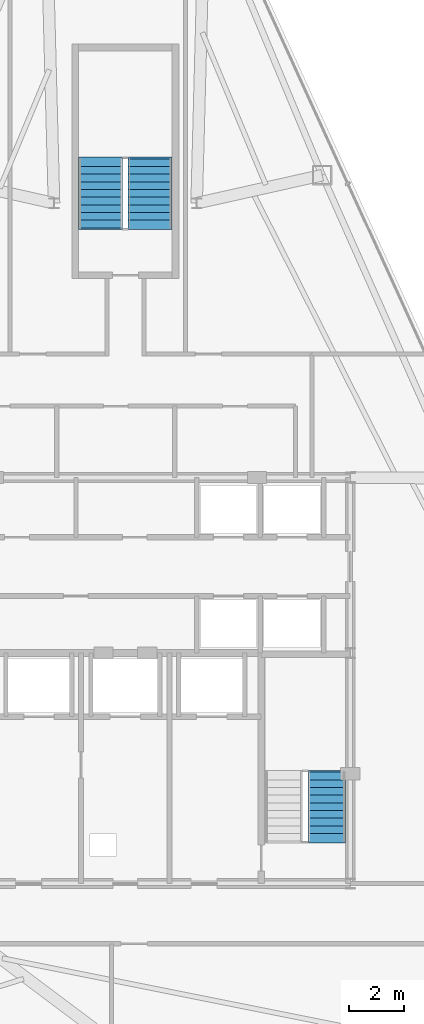
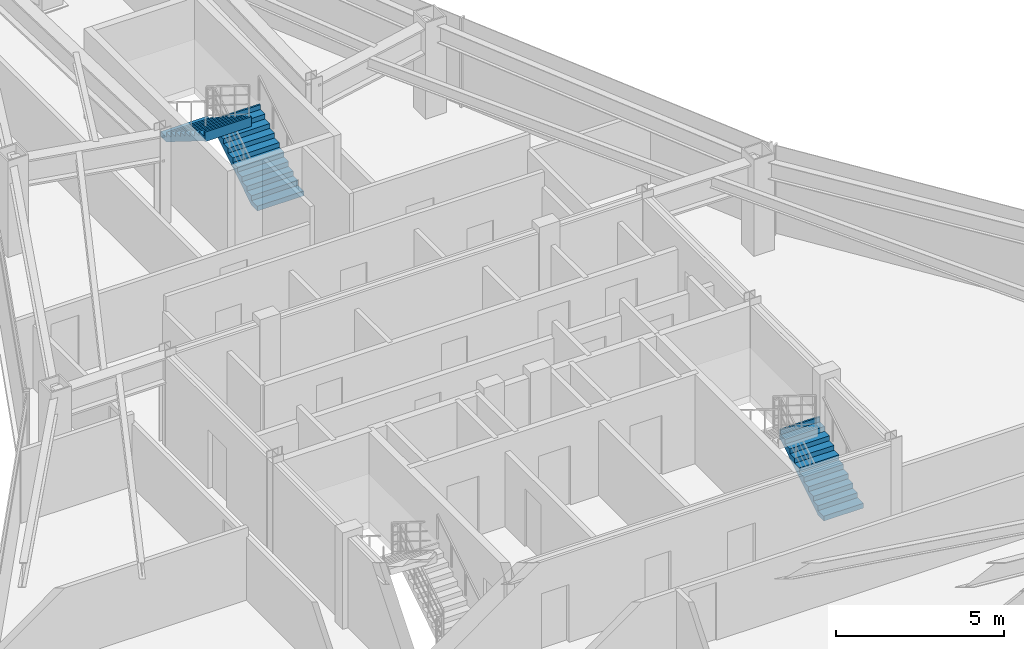
# One storey, part 11 of 12: 3 stair flights, 2 elements without a shape of their own.
"""IFC4 building model written with IfcOpenShell, lengths in metres."""

import ifcopenshell
import ifcopenshell.guid

model = None  # the IFC model being written
_history = None  # IfcOwnerHistory: only IFC2X3 demands one
_inside = {}  # id of a spatial element -> (the spatial element, [elements in it])
_under = {}  # id of a project, library or spatial element -> (it, [spatial elements below it])
_declared = {}  # id of a project -> (the project, [libraries it declares])
_typed = {}  # id of a type object -> (the type object, [elements of that type])
_made_of = {}  # id of a material, layer set ... -> (it, [elements and type objects made of it])


def new_model(schema):
    """Start an empty IFC model of exactly this schema.

    Asked for "IFC4X3", IfcOpenShell would pick the latest addendum, in which some entities
    have other attributes; the version numbers below select the first issue.
    IFC2X3 requires an IfcOwnerHistory on every rooted entity: one is made here for all.
    """
    global model, _history
    if schema == "IFC4X3":
        model = ifcopenshell.file(schema_version=(4, 3, 0, 0))
    else:
        model = ifcopenshell.file(schema=schema)
    _inside.clear()
    _under.clear()
    _declared.clear()
    _typed.clear()
    _made_of.clear()
    _history = None
    if model.schema == "IFC2X3":
        org = make("IfcOrganization", Name="unknown")
        user = make(
            "IfcPersonAndOrganization",
            ThePerson=make("IfcPerson", FamilyName="unknown"),
            TheOrganization=org,
        )
        app = make(
            "IfcApplication",
            ApplicationDeveloper=org,
            Version="unknown",
            ApplicationFullName="unknown",
            ApplicationIdentifier="unknown",
        )
        _history = make(
            "IfcOwnerHistory",
            OwningUser=user,
            OwningApplication=app,
            ChangeAction="ADDED",
            CreationDate=0,
        )
    return model


def make(cls, **values):
    """One entity of the class cls with the attributes given. An attribute that is None is left unset."""
    return model.create_entity(
        cls, **{name: value for name, value in values.items() if value is not None}
    )


def rooted(cls, **values):
    """An entity with a GlobalId (a new one), such as an element, a storey or a relation."""
    return make(cls, GlobalId=ifcopenshell.guid.new(), OwnerHistory=_history, **values)


def si_unit(unit_type, name, prefix=None):
    """IfcSIUnit, for example si_unit("LENGTHUNIT", "METRE", prefix="MILLI")."""
    return make("IfcSIUnit", UnitType=unit_type, Prefix=prefix, Name=name)


def assignment(units):
    """IfcUnitAssignment: the units of a project."""
    return None if units is None else make("IfcUnitAssignment", Units=units)


def point(xyz):
    """IfcCartesianPoint."""
    return None if xyz is None else make("IfcCartesianPoint", Coordinates=xyz)


def direction(xyz):
    """IfcDirection."""
    return None if xyz is None else make("IfcDirection", DirectionRatios=xyz)


def frame(location, z_axis=None, x_axis=None):
    """IfcAxis2Placement3D, a coordinate frame: its origin and axes. An axis left out is left unset."""
    return make(
        "IfcAxis2Placement3D",
        Location=point(location),
        Axis=direction(z_axis),
        RefDirection=direction(x_axis),
    )


def origin():
    """The frame at (0, 0, 0) with its axes left unset."""
    return frame((0.0, 0.0, 0.0))


def place(relative_to, where):
    """IfcLocalPlacement: puts the frame where relative to a parent placement (None: the world)."""
    return make(
        "IfcLocalPlacement", PlacementRelTo=relative_to, RelativePlacement=where
    )


def context(
    kind, dimensions, precision=None, world=None, true_north=None, identifier=None
):
    """IfcGeometricRepresentationContext, for example the 3D "Model" context."""
    return make(
        "IfcGeometricRepresentationContext",
        ContextIdentifier=identifier,
        ContextType=kind,
        CoordinateSpaceDimension=dimensions,
        Precision=precision,
        WorldCoordinateSystem=world,
        TrueNorth=true_north,
    )


def subcontext(parent, identifier, kind, view, scale=None):
    """IfcGeometricRepresentationSubContext, for example "Body" below "Model"."""
    return make(
        "IfcGeometricRepresentationSubContext",
        ContextIdentifier=identifier,
        ContextType=kind,
        ParentContext=parent,
        TargetScale=scale,
        TargetView=view,
    )


def project(units=None, contexts=None):
    """IfcProject with its units and contexts."""
    return rooted(
        "IfcProject",
        Name="project",
        RepresentationContexts=contexts,
        UnitsInContext=assignment(units),
    )


def spatial(cls, under=None, at=None, **own):
    """A site, building, storey or space (cls), placed at a placement, below another one or the project."""
    s = rooted(cls, ObjectPlacement=at, **own)
    if under is not None:
        _under.setdefault(under.id(), (under, []))[1].append(s)
    return s


def polyline(points):
    """IfcPolyline through the points."""
    return make("IfcPolyline", Points=[point(p) for p in points])


def outline(outer, holes=None, kind="AREA"):
    """IfcArbitraryClosedProfileDef: a profile drawn as a closed curve; with holes, ...WithVoids."""
    if holes is None:
        return make("IfcArbitraryClosedProfileDef", ProfileType=kind, OuterCurve=outer)
    return make(
        "IfcArbitraryProfileDefWithVoids",
        ProfileType=kind,
        OuterCurve=outer,
        InnerCurves=holes,
    )


def extrude(swept, where, along, depth):
    """IfcExtrudedAreaSolid: the profile swept, set in the frame where, extruded along a direction by depth."""
    return make(
        "IfcExtrudedAreaSolid",
        SweptArea=swept,
        Position=where,
        ExtrudedDirection=direction(along),
        Depth=depth,
    )


def shape(context_of_items, identifier, shape_type, items):
    """IfcShapeRepresentation: the items that make up one representation, for example the "Body"."""
    return make(
        "IfcShapeRepresentation",
        ContextOfItems=context_of_items,
        RepresentationIdentifier=identifier,
        RepresentationType=shape_type,
        Items=items,
    )


def material(Name=None, Category=None):
    """IfcMaterial."""
    return make("IfcMaterial", Name=Name, Category=Category)


def made_of(thing, what):
    """Note that an element or type object is made of a material, layer set ...; save() writes the relation."""
    if what is not None:
        _made_of.setdefault(what.id(), (what, []))[1].append(thing)
    return thing


def type_object(cls, material=None, **own):
    """A type object (cls), such as IfcWallType, which elements share."""
    return made_of(rooted(cls, **own), material)


def element(
    cls,
    number,
    at=None,
    inside=None,
    cuts=None,
    type_object=None,
    material=None,
    context=None,
    identifier="Body",
    shape_type=None,
    held_by="IfcProductDefinitionShape",
    body=None,
    shapes=None,
    **own,
):
    """One element of the class cls, such as IfcWall. Its Tag is "e" and its number.

    at: its placement. inside: the storey or other place that contains it. cuts: it is an
    opening in that element (IfcRelVoidsElement). A single representation is given by context,
    identifier, shape_type and body (its items); several are given by shapes. held_by: the class
    of the entity that holds the representations. save() writes the other relations.
    """
    e = rooted(cls, Tag="e%d" % number, ObjectPlacement=at, **own)
    if body is not None:
        shapes = [shape(context, identifier, shape_type, body)]
    if shapes is not None:
        e.Representation = make(held_by, Representations=shapes)
    if inside is not None:
        _inside.setdefault(inside.id(), (inside, []))[1].append(e)
    if cuts is not None:
        rooted(
            "IfcRelVoidsElement", RelatingBuildingElement=cuts, RelatedOpeningElement=e
        )
    if type_object is not None:
        _typed.setdefault(type_object.id(), (type_object, []))[1].append(e)
    return made_of(e, material)


def aggregate(whole, parts):
    """IfcRelAggregates: a whole, such as a stair, and the parts it consists of."""
    return rooted("IfcRelAggregates", RelatingObject=whole, RelatedObjects=parts)


def save(model, path):
    """Write the relations noted so far, then the file.

    IfcRelAggregates (storeys below a building ...), IfcRelContainedInSpatialStructure (elements
    in a storey), IfcRelDefinesByType, IfcRelAssociatesMaterial and IfcRelDeclares: one each for
    every whole, place, type object, material and project.
    """
    for whole, parts in _under.values():
        aggregate(whole, parts)
    for where, things in _inside.values():
        rooted(
            "IfcRelContainedInSpatialStructure",
            RelatedElements=things,
            RelatingStructure=where,
        )
    for kind, things in _typed.values():
        rooted("IfcRelDefinesByType", RelatedObjects=things, RelatingType=kind)
    for what, things in _made_of.values():
        rooted("IfcRelAssociatesMaterial", RelatedObjects=things, RelatingMaterial=what)
    for by, libraries in _declared.values():
        rooted("IfcRelDeclares", RelatingContext=by, RelatedDefinitions=libraries)
    model.write(path)


model = new_model("IFC4")

# Units and contexts
model_context = context("Model", 3, precision=1e-05, world=origin(), true_north=direction((0.0, 1.0)))
body_context = subcontext(model_context, "Body", "Model", "MODEL_VIEW")
ifc_project = project(units=[si_unit("LENGTHUNIT", "METRE"), si_unit("AREAUNIT", "SQUARE_METRE"), si_unit("VOLUMEUNIT", "CUBIC_METRE"), si_unit("PLANEANGLEUNIT", "RADIAN"), si_unit("MASSUNIT", "GRAM", prefix="KILO")], contexts=[model_context])

# Site, building, storey
site_placement = place(None, origin())
site = spatial("IfcSite", under=ifc_project, at=site_placement, CompositionType="ELEMENT")
building_placement = place(site_placement, origin())
building = spatial("IfcBuilding", under=site, at=building_placement, Name="Varakhsha Concourse Tower", CompositionType="ELEMENT")
storey_placement = place(building_placement, frame((0.0, 0.0, 243.39990234375)))
storey = spatial("IfcBuildingStorey", under=building, at=storey_placement, Name="L69", CompositionType="ELEMENT", Elevation=243.39990234375)

# Stair, stair flight
ifc_material = material(Name="Concrete fc 45 MPa", Category="concrete")
stair_type_1 = type_object("IfcStairType", Name="ST-DOGLEG-1360", PredefinedType="HALF_TURN_STAIR", material=ifc_material)
stair_1_placement = place(storey_placement, origin())
stair_1 = element("IfcStair", 1, at=stair_1_placement, inside=storey, type_object=stair_type_1, Name="L69 Protected Exit Stair ST2", PredefinedType="HALF_TURN_STAIR")
stair_flight_type_1 = type_object("IfcStairFlightType", Name="STF-1360-R1750", PredefinedType="STRAIGHT", material=ifc_material)
stair_flight_1_placement = place(storey_placement, frame((47.340087890625, 17.93994140625, 0.0), z_axis=(0.0, 0.0, 1.0), x_axis=(0.0, 1.0, 0.0)))
stair_flight_1 = element("IfcStairFlight", 2, at=stair_flight_1_placement, type_object=stair_flight_type_1, Name="ST2 flight 1", NumberOfRisers=10, NumberOfTreads=9, PredefinedType="STRAIGHT", RiserHeight=0.175, TreadLength=0.28, context=body_context, shape_type="SweptSolid", body=[
    extrude(outline(polyline([(-0.06005859375, 0.0), (-0.06005859375, 0.175048828125), (0.0, 0.175048828125), (0.280029296875, 0.175048828125), (0.280029296875, 0.35009765625), (0.56005859375, 0.35009765625), (0.56005859375, 0.52490234375), (0.840087890625, 0.52490234375), (0.840087890625, 0.699951171875), (1.1201171875, 0.699951171875), (1.1201171875, 0.875), (1.39990234375, 0.875), (1.39990234375, 1.050048828125), (1.679931640625, 1.050048828125), (1.679931640625, 1.22509765625), (1.9599609375, 1.22509765625), (1.9599609375, 1.39990234375), (2.239990234375, 1.39990234375), (2.239990234375, 1.574951171875), (2.52001953125, 1.574951171875), (2.52001953125, 1.75), (2.580078125, 1.75), (2.580078125, 1.398193359375), (2.52001953125, 1.398193359375), (0.28271484375, 0.0), (-0.06005859375, 0.0)])), frame((0.0, 0.68017578125, 0.0), z_axis=(0.0, -1.0, 0.0), x_axis=(1.0, 0.0, 0.0)), (0.0, 0.0, 1.0), 1.360107421875),
])
aggregate(stair_1, [stair_flight_1])

# Stair, stair flights
stair_type_2 = type_object("IfcStairType", Name="ST-DOGLEG-1600", PredefinedType="HALF_TURN_STAIR", material=ifc_material)
stair_2_placement = place(storey_placement, origin())
stair_2 = element("IfcStair", 3, at=stair_2_placement, inside=storey, type_object=stair_type_2, Name="L69 Protected Exit Stair ST5", PredefinedType="HALF_TURN_STAIR")
stair_flight_type_2 = type_object("IfcStairFlightType", Name="STF-1600-R1750", PredefinedType="STRAIGHT", material=ifc_material)
stair_flight_2_placement = place(storey_placement, frame((40.89990234375, 40.300048828125, 0.0), z_axis=(0.0, 0.0, 1.0), x_axis=(0.0, 1.0, 0.0)))
stair_flight_2 = element("IfcStairFlight", 4, at=stair_flight_2_placement, type_object=stair_flight_type_2, Name="ST5 flight 1", NumberOfRisers=10, NumberOfTreads=9, PredefinedType="STRAIGHT", RiserHeight=0.175, TreadLength=0.28, context=body_context, shape_type="SweptSolid", body=[
    extrude(outline(polyline([(-0.06005859375, 0.0), (-0.06005859375, 0.175048828125), (0.0, 0.175048828125), (0.280029296875, 0.175048828125), (0.280029296875, 0.35009765625), (0.56005859375, 0.35009765625), (0.56005859375, 0.52490234375), (0.840087890625, 0.52490234375), (0.840087890625, 0.699951171875), (1.1201171875, 0.699951171875), (1.1201171875, 0.875), (1.39990234375, 0.875), (1.39990234375, 1.050048828125), (1.679931640625, 1.050048828125), (1.679931640625, 1.22509765625), (1.9599609375, 1.22509765625), (1.9599609375, 1.39990234375), (2.239990234375, 1.39990234375), (2.239990234375, 1.574951171875), (2.52001953125, 1.574951171875), (2.52001953125, 1.75), (2.580078125, 1.75), (2.580078125, 1.398193359375), (2.52001953125, 1.398193359375), (0.28271484375, 0.0), (-0.06005859375, 0.0)])), frame((0.0, 0.800048828125, 0.0), z_axis=(0.0, -1.0, 0.0), x_axis=(1.0, 0.0, 0.0)), (0.0, 0.0, 1.0), 1.60009765625),
])
stair_flight_3_placement = place(storey_placement, frame((39.10009765625, 42.820068359375, 1.75), z_axis=(0.0, 0.0, 1.0), x_axis=(0.0, -1.0, 0.0)))
stair_flight_3 = element("IfcStairFlight", 5, at=stair_flight_3_placement, type_object=stair_flight_type_2, Name="ST5 flight 2", NumberOfRisers=10, NumberOfTreads=9, PredefinedType="STRAIGHT", RiserHeight=0.175, TreadLength=0.28, context=body_context, shape_type="SweptSolid", body=[
    extrude(outline(polyline([(-0.06005859375, 0.0), (-0.06005859375, 0.175048828125), (0.0, 0.175048828125), (0.280029296875, 0.175048828125), (0.280029296875, 0.35009765625), (0.56005859375, 0.35009765625), (0.56005859375, 0.52490234375), (0.840087890625, 0.52490234375), (0.840087890625, 0.699951171875), (1.1201171875, 0.699951171875), (1.1201171875, 0.875), (1.39990234375, 0.875), (1.39990234375, 1.050048828125), (1.679931640625, 1.050048828125), (1.679931640625, 1.22509765625), (1.9599609375, 1.22509765625), (1.9599609375, 1.39990234375), (2.239990234375, 1.39990234375), (2.239990234375, 1.574951171875), (2.52001953125, 1.574951171875), (2.52001953125, 1.75), (2.580078125, 1.75), (2.580078125, 1.398193359375), (2.52001953125, 1.398193359375), (0.28271484375, 0.0), (-0.06005859375, 0.0)])), frame((0.0, 0.800048828125, 0.0), z_axis=(0.0, -1.0, 0.0), x_axis=(1.0, 0.0, 0.0)), (0.0, 0.0, 1.0), 1.60009765625),
])
aggregate(stair_2, [stair_flight_2, stair_flight_3])

save(model, "model.ifc")
